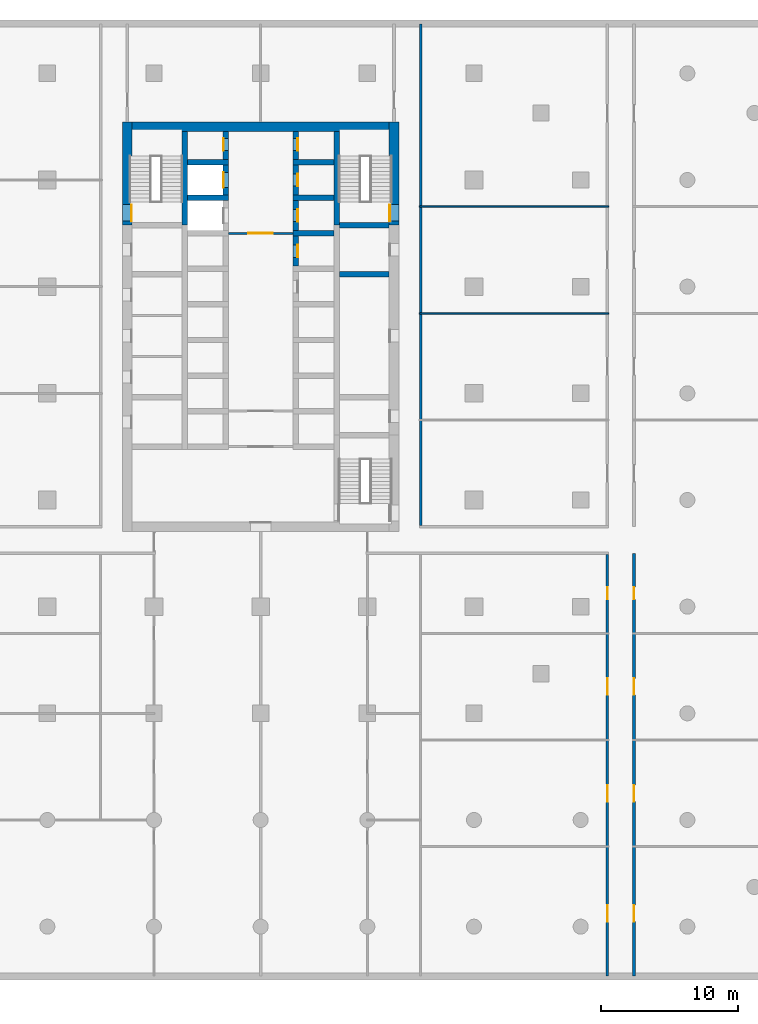
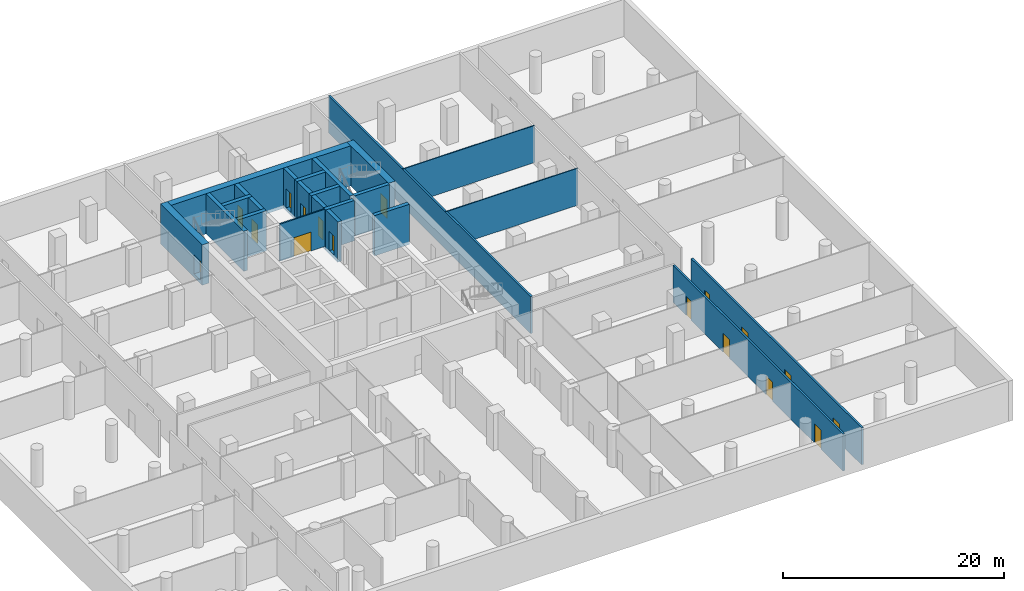
# One storey, part 7 of 14: 24 walls, 17 doors, 17 openings.
"""IFC4 building model written with IfcOpenShell, lengths in metres."""

from ifc_helpers import new_model, si_unit, direction, frame, frame_2d, origin, place, context, subcontext, project, spatial, rectangle, extrude, material, layer, layer_set, type_object, element, fill, save


model = new_model("IFC4")

# Units and contexts
model_context = context("Model", 3, precision=1e-05, world=origin(), true_north=direction((0.0, 1.0)))
body_context = subcontext(model_context, "Body", "Model", "MODEL_VIEW")
ifc_project = project(units=[si_unit("LENGTHUNIT", "METRE"), si_unit("AREAUNIT", "SQUARE_METRE"), si_unit("VOLUMEUNIT", "CUBIC_METRE"), si_unit("PLANEANGLEUNIT", "RADIAN"), si_unit("MASSUNIT", "GRAM", prefix="KILO")], contexts=[model_context])

# Site, building, storey
site_placement = place(None, origin())
site = spatial("IfcSite", under=ifc_project, at=site_placement, CompositionType="ELEMENT")
building_placement = place(site_placement, origin())
building = spatial("IfcBuilding", under=site, at=building_placement, Name="Ludao Terraces", CompositionType="ELEMENT")
storey_placement = place(building_placement, frame((0.0, 0.0, -4.5)))
storey = spatial("IfcBuildingStorey", under=building, at=storey_placement, Name="B1", CompositionType="ELEMENT", Elevation=-4.5)

# Wall, opening, door
ifc_material_1 = material(Name="Concrete C70", Category="concrete")
ifc_layer_1 = layer(ifc_material_1, 0.699951171875)
ifc_layer_set_1 = layer_set([ifc_layer_1], Name="Core wall 700 C70")
wall_type_1 = type_object("IfcWallType", Name="Core wall 700 C70", PredefinedType="SOLIDWALL", material=ifc_layer_set_1)
wall_1_placement = place(storey_placement, frame((75.25, 77.300048828125, -0.35009765625), z_axis=(0.0, 0.0, 1.0), x_axis=(0.0, 1.0, 0.0)))
wall_1 = element("IfcWall", 1, at=wall_1_placement, inside=storey, type_object=wall_type_1, Name="Core wall B1 outer-W-S1", PredefinedType="SOLIDWALL", context=body_context, shape_type="SweptSolid", body=[
    extrude(rectangle(XDim=7.550048828125, YDim=0.699951171875, at=frame_2d((3.77490234375, 0.0))), origin(), (0.0, 0.0, 1.0), 4.4501953125),
])
opening_1_placement = place(wall_1_placement, frame((0.300048828125, 0.0, 0.35009765625)))
opening_1 = element("IfcOpeningElement", 2, at=opening_1_placement, cuts=wall_1, Name="Opening B1-055", PredefinedType="OPENING", context=body_context, shape_type="SweptSolid", body=[
    extrude(rectangle(XDim=1.199951171875, YDim=2.10009765625, at=frame_2d((0.60009765625, 1.050048828125))), frame((0.0, 0.35986328125, 0.0), z_axis=(0.0, -1.0, 0.0), x_axis=(1.0, 0.0, 0.0)), (0.0, 0.0, 1.0), 0.719970703125),
])
ifc_material_2 = material(Name="Steel Q235", Category="steel")
door_type_1 = type_object("IfcDoorType", Name="INT Stair door 1200", OperationType="DOUBLE_DOOR_SINGLE_SWING", PredefinedType="DOOR", material=ifc_material_2)
door_1_placement = place(opening_1_placement, origin())
door_1 = element("IfcDoor", 3, at=door_1_placement, inside=storey, type_object=door_type_1, Name="DOOR 055", OperationType="DOUBLE_DOOR_SINGLE_SWING", OverallHeight=2.10009765625, OverallWidth=1.199951171875, PredefinedType="DOOR", context=body_context, shape_type="SweptSolid", body=[
    extrude(rectangle(XDim=1.199951171875, YDim=2.10009765625, at=frame_2d((0.60009765625, 1.050048828125))), frame((0.0, -0.28515625, 0.0), z_axis=(0.0, -1.0, 0.0), x_axis=(1.0, 0.0, 0.0)), (0.0, 0.0, 1.0), 0.050048828125),
])
fill(opening_1, door_1)

wall_2_placement = place(storey_placement, frame((94.75, 77.300048828125, -0.35009765625), z_axis=(0.0, 0.0, 1.0), x_axis=(0.0, 1.0, 0.0)))
wall_2 = element("IfcWall", 4, at=wall_2_placement, inside=storey, type_object=wall_type_1, Name="Core wall B1 outer-E-S2", PredefinedType="SOLIDWALL", context=body_context, shape_type="SweptSolid", body=[
    extrude(rectangle(XDim=7.550048828125, YDim=0.699951171875, at=frame_2d((3.77490234375, 0.0))), origin(), (0.0, 0.0, 1.0), 4.4501953125),
])
opening_2_placement = place(wall_2_placement, frame((0.300048828125, 0.0, 0.35009765625)))
opening_2 = element("IfcOpeningElement", 5, at=opening_2_placement, cuts=wall_2, Name="Opening B1-056", PredefinedType="OPENING", context=body_context, shape_type="SweptSolid", body=[
    extrude(rectangle(XDim=1.199951171875, YDim=2.10009765625, at=frame_2d((0.60009765625, 1.050048828125))), frame((0.0, 0.35986328125, 0.0), z_axis=(0.0, -1.0, 0.0), x_axis=(1.0, 0.0, 0.0)), (0.0, 0.0, 1.0), 0.719970703125),
])
door_2_placement = place(opening_2_placement, origin())
door_2 = element("IfcDoor", 6, at=door_2_placement, inside=storey, type_object=door_type_1, Name="DOOR 056", OperationType="DOUBLE_DOOR_SINGLE_SWING", OverallHeight=2.10009765625, OverallWidth=1.199951171875, PredefinedType="DOOR", context=body_context, shape_type="SweptSolid", body=[
    extrude(rectangle(XDim=1.199951171875, YDim=2.10009765625, at=frame_2d((0.60009765625, 1.050048828125))), frame((0.0, 0.3349609375, 0.0), z_axis=(0.0, -1.0, 0.0), x_axis=(1.0, 0.0, 0.0)), (0.0, 0.0, 1.0), 0.050048828125),
])
fill(opening_2, door_2)

# Wall
wall_3_placement = place(storey_placement, frame((75.60009765625, 84.5, -0.35009765625), z_axis=(0.0, 0.0, 1.0), x_axis=(1.0, 0.0, 0.0)))
element("IfcWall", 7, at=wall_3_placement, inside=storey, type_object=wall_type_1, Name="Core wall B1 outer-N", PredefinedType="SOLIDWALL", context=body_context, shape_type="SweptSolid", body=[
    extrude(rectangle(XDim=18.7998046875, YDim=0.699951171875, at=frame_2d((9.39990234375, 0.0))), origin(), (0.0, 0.0, 1.0), 4.4501953125),
])

# Wall, opening, door
ifc_material_3 = material(Name="Fire-rated gypsum plasterboard", Category="gypsum")
ifc_layer_2 = layer(ifc_material_3, 0.012451171875, Category="gypsum")
ifc_material_4 = material(Name="Mineral wool")
ifc_layer_3 = layer(ifc_material_4, 0.10009765625, Name="insulation")
ifc_layer_4 = layer(ifc_material_2, 0.02490234375, Name="stud")
ifc_layer_5 = layer(ifc_material_3, 0.012451171875, Category="gypsum")
ifc_layer_set_2 = layer_set([ifc_layer_2, ifc_layer_3, ifc_layer_4, ifc_layer_5], Name="INT Core partition 150")
wall_type_2 = type_object("IfcWallType", Name="INT Core partition 150", PredefinedType="PARTITIONING", material=ifc_layer_set_2)
wall_4_placement = place(storey_placement, frame((82.650146484375, 76.699951171875, 0.0), z_axis=(0.0, 0.0, 1.0), x_axis=(1.0, 0.0, 0.0)))
wall_4 = element("IfcWall", 8, at=wall_4_placement, inside=storey, type_object=wall_type_2, Name="PW-B1-PW031", PredefinedType="PARTITIONING", context=body_context, shape_type="SweptSolid", body=[
    extrude(rectangle(XDim=4.699951171875, YDim=0.14990234375, at=frame_2d((2.35009765625, 0.0))), origin(), (0.0, 0.0, 1.0), 4.10009765625),
])
opening_3_placement = place(wall_4_placement, frame((1.449951171875, 0.0, 0.0)))
opening_3 = element("IfcOpeningElement", 9, at=opening_3_placement, cuts=wall_4, Name="Opening B1-052", PredefinedType="OPENING", context=body_context, shape_type="SweptSolid", body=[
    extrude(rectangle(XDim=1.800048828125, YDim=2.10009765625, at=frame_2d((0.89990234375, 1.050048828125))), frame((0.0, 0.0849609375, 0.0), z_axis=(0.0, -1.0, 0.0), x_axis=(1.0, 0.0, 0.0)), (0.0, 0.0, 1.0), 0.169921875),
])
door_type_2 = type_object("IfcDoorType", Name="INT Fire lobby door 1800", OperationType="DOUBLE_DOOR_SINGLE_SWING", PredefinedType="DOOR", material=ifc_material_2)
door_3_placement = place(opening_3_placement, origin())
door_3 = element("IfcDoor", 10, at=door_3_placement, inside=storey, type_object=door_type_2, Name="DOOR 052", OperationType="DOUBLE_DOOR_SINGLE_SWING", OverallHeight=2.10009765625, OverallWidth=1.800048828125, PredefinedType="DOOR", context=body_context, shape_type="SweptSolid", body=[
    extrude(rectangle(XDim=1.800048828125, YDim=2.10009765625, at=frame_2d((0.89990234375, 1.050048828125))), frame((0.0, 0.02490234375, 0.0), z_axis=(0.0, -1.0, 0.0), x_axis=(1.0, 0.0, 0.0)), (0.0, 0.0, 1.0), 0.050048828125),
])
fill(opening_3, door_3)

# Wall
ifc_material_5 = material(Name="Autoclaved aerated concrete block B06 A3.5", Category="concrete")
ifc_layer_6 = layer(ifc_material_5, 0.199951171875)
ifc_layer_set_3 = layer_set([ifc_layer_6], Name="INT Entrance wall 200")
wall_type_3 = type_object("IfcWallType", Name="INT Entrance wall 200", PredefinedType="PARTITIONING", material=ifc_layer_set_3)
wall_5_placement = place(storey_placement, frame((96.699951171875, 55.35009765625, 0.0), z_axis=(0.0, 0.0, 1.0), x_axis=(0.0, 1.0, 0.0)))
element("IfcWall", 11, at=wall_5_placement, inside=storey, type_object=wall_type_3, Name="PW-B1-PW055", PredefinedType="PARTITIONING", context=body_context, shape_type="SweptSolid", body=[
    extrude(rectangle(XDim=36.64990234375, YDim=0.199951171875, at=frame_2d((18.324951171875, 0.0))), origin(), (0.0, 0.0, 1.0), 4.10009765625),
])

# Wall, openings, doors
wall_6_placement = place(storey_placement, frame((110.35009765625, 22.400146484375, 0.0), z_axis=(0.0, 0.0, 1.0), x_axis=(0.0, 1.0, 0.0)))
wall_6 = element("IfcWall", 12, at=wall_6_placement, inside=storey, type_object=wall_type_3, Name="PW-B1-PW056", PredefinedType="PARTITIONING", context=body_context, shape_type="SweptSolid", body=[
    extrude(rectangle(XDim=30.800048828125, YDim=0.199951171875, at=frame_2d((15.39990234375, 0.0))), origin(), (0.0, 0.0, 1.0), 4.10009765625),
])
opening_4_placement = place(wall_6_placement, frame((3.97509765625, 0.0, 0.0)))
opening_4 = element("IfcOpeningElement", 13, at=opening_4_placement, cuts=wall_6, Name="Opening B1-001", PredefinedType="OPENING", context=body_context, shape_type="SweptSolid", body=[
    extrude(rectangle(XDim=1.199951171875, YDim=2.10009765625, at=frame_2d((0.60009765625, 1.050048828125))), frame((0.0, 0.10986328125, 0.0), z_axis=(0.0, -1.0, 0.0), x_axis=(1.0, 0.0, 0.0)), (0.0, 0.0, 1.0), 0.219970703125),
])
opening_5_placement = place(wall_6_placement, frame((12.75, 0.0, 0.0)))
opening_5 = element("IfcOpeningElement", 14, at=opening_5_placement, cuts=wall_6, Name="Opening B1-007", PredefinedType="OPENING", context=body_context, shape_type="SweptSolid", body=[
    extrude(rectangle(XDim=1.199951171875, YDim=2.10009765625, at=frame_2d((0.60009765625, 1.050048828125))), frame((0.0, 0.10986328125, 0.0), z_axis=(0.0, -1.0, 0.0), x_axis=(1.0, 0.0, 0.0)), (0.0, 0.0, 1.0), 0.219970703125),
])
opening_6_placement = place(wall_6_placement, frame((20.550048828125, 0.0, 0.0)))
opening_6 = element("IfcOpeningElement", 15, at=opening_6_placement, cuts=wall_6, Name="Opening B1-013", PredefinedType="OPENING", context=body_context, shape_type="SweptSolid", body=[
    extrude(rectangle(XDim=1.199951171875, YDim=2.10009765625, at=frame_2d((0.60009765625, 1.050048828125))), frame((0.0, 0.10986328125, 0.0), z_axis=(0.0, -1.0, 0.0), x_axis=(1.0, 0.0, 0.0)), (0.0, 0.0, 1.0), 0.219970703125),
])
opening_7_placement = place(wall_6_placement, frame((27.52490234375, 0.0, 0.0)))
opening_7 = element("IfcOpeningElement", 16, at=opening_7_placement, cuts=wall_6, Name="Opening B1-021", PredefinedType="OPENING", context=body_context, shape_type="SweptSolid", body=[
    extrude(rectangle(XDim=0.89990234375, YDim=2.10009765625, at=frame_2d((0.449951171875, 1.050048828125))), frame((0.0, 0.10986328125, 0.0), z_axis=(0.0, -1.0, 0.0), x_axis=(1.0, 0.0, 0.0)), (0.0, 0.0, 1.0), 0.219970703125),
])
ifc_material_6 = material(Name="Timber door leaf", Category="wood")
door_type_3 = type_object("IfcDoorType", Name="INT Double door 1200", OperationType="DOUBLE_DOOR_SINGLE_SWING", PredefinedType="DOOR", material=ifc_material_6)
door_4_placement = place(opening_4_placement, origin())
door_4 = element("IfcDoor", 17, at=door_4_placement, inside=storey, type_object=door_type_3, Name="DOOR 001", OperationType="DOUBLE_DOOR_SINGLE_SWING", OverallHeight=2.10009765625, OverallWidth=1.199951171875, PredefinedType="DOOR", context=body_context, shape_type="SweptSolid", body=[
    extrude(rectangle(XDim=1.199951171875, YDim=2.10009765625, at=frame_2d((0.60009765625, 1.050048828125))), frame((0.0, 0.02490234375, 0.0), z_axis=(0.0, -1.0, 0.0), x_axis=(1.0, 0.0, 0.0)), (0.0, 0.0, 1.0), 0.050048828125),
])
fill(opening_4, door_4)
door_5_placement = place(opening_5_placement, origin())
door_5 = element("IfcDoor", 18, at=door_5_placement, inside=storey, type_object=door_type_3, Name="DOOR 007", OperationType="DOUBLE_DOOR_SINGLE_SWING", OverallHeight=2.10009765625, OverallWidth=1.199951171875, PredefinedType="DOOR", context=body_context, shape_type="SweptSolid", body=[
    extrude(rectangle(XDim=1.199951171875, YDim=2.10009765625, at=frame_2d((0.60009765625, 1.050048828125))), frame((0.0, 0.02490234375, 0.0), z_axis=(0.0, -1.0, 0.0), x_axis=(1.0, 0.0, 0.0)), (0.0, 0.0, 1.0), 0.050048828125),
])
fill(opening_5, door_5)
door_6_placement = place(opening_6_placement, origin())
door_6 = element("IfcDoor", 19, at=door_6_placement, inside=storey, type_object=door_type_3, Name="DOOR 013", OperationType="DOUBLE_DOOR_SINGLE_SWING", OverallHeight=2.10009765625, OverallWidth=1.199951171875, PredefinedType="DOOR", context=body_context, shape_type="SweptSolid", body=[
    extrude(rectangle(XDim=1.199951171875, YDim=2.10009765625, at=frame_2d((0.60009765625, 1.050048828125))), frame((0.0, 0.02490234375, 0.0), z_axis=(0.0, -1.0, 0.0), x_axis=(1.0, 0.0, 0.0)), (0.0, 0.0, 1.0), 0.050048828125),
])
fill(opening_6, door_6)
door_type_4 = type_object("IfcDoorType", Name="INT Room door 900", OperationType="SINGLE_SWING_LEFT", PredefinedType="DOOR", material=ifc_material_6)
door_7_placement = place(opening_7_placement, origin())
door_7 = element("IfcDoor", 20, at=door_7_placement, inside=storey, type_object=door_type_4, Name="DOOR 021", OperationType="SINGLE_SWING_LEFT", OverallHeight=2.10009765625, OverallWidth=0.89990234375, PredefinedType="DOOR", context=body_context, shape_type="SweptSolid", body=[
    extrude(rectangle(XDim=0.89990234375, YDim=2.10009765625, at=frame_2d((0.449951171875, 1.050048828125))), frame((0.0, 0.02490234375, 0.0), z_axis=(0.0, -1.0, 0.0), x_axis=(1.0, 0.0, 0.0)), (0.0, 0.0, 1.0), 0.050048828125),
])
fill(opening_7, door_7)

wall_7_placement = place(storey_placement, frame((112.300048828125, 22.400146484375, 0.0), z_axis=(0.0, 0.0, 1.0), x_axis=(0.0, 1.0, 0.0)))
wall_7 = element("IfcWall", 21, at=wall_7_placement, inside=storey, type_object=wall_type_3, Name="PW-B1-PW058", PredefinedType="PARTITIONING", context=body_context, shape_type="SweptSolid", body=[
    extrude(rectangle(XDim=30.89990234375, YDim=0.199951171875, at=frame_2d((15.449951171875, 0.0))), origin(), (0.0, 0.0, 1.0), 4.10009765625),
])
opening_8_placement = place(wall_7_placement, frame((3.97509765625, 0.0, 0.0)))
opening_8 = element("IfcOpeningElement", 22, at=opening_8_placement, cuts=wall_7, Name="Opening B1-002", PredefinedType="OPENING", context=body_context, shape_type="SweptSolid", body=[
    extrude(rectangle(XDim=1.199951171875, YDim=2.10009765625, at=frame_2d((0.60009765625, 1.050048828125))), frame((0.0, 0.10986328125, 0.0), z_axis=(0.0, -1.0, 0.0), x_axis=(1.0, 0.0, 0.0)), (0.0, 0.0, 1.0), 0.219970703125),
])
opening_9_placement = place(wall_7_placement, frame((12.75, 0.0, 0.0)))
opening_9 = element("IfcOpeningElement", 23, at=opening_9_placement, cuts=wall_7, Name="Opening B1-008", PredefinedType="OPENING", context=body_context, shape_type="SweptSolid", body=[
    extrude(rectangle(XDim=1.199951171875, YDim=2.10009765625, at=frame_2d((0.60009765625, 1.050048828125))), frame((0.0, 0.10986328125, 0.0), z_axis=(0.0, -1.0, 0.0), x_axis=(1.0, 0.0, 0.0)), (0.0, 0.0, 1.0), 0.219970703125),
])
opening_10_placement = place(wall_7_placement, frame((20.550048828125, 0.0, 0.0)))
opening_10 = element("IfcOpeningElement", 24, at=opening_10_placement, cuts=wall_7, Name="Opening B1-014", PredefinedType="OPENING", context=body_context, shape_type="SweptSolid", body=[
    extrude(rectangle(XDim=1.199951171875, YDim=2.10009765625, at=frame_2d((0.60009765625, 1.050048828125))), frame((0.0, 0.10986328125, 0.0), z_axis=(0.0, -1.0, 0.0), x_axis=(1.0, 0.0, 0.0)), (0.0, 0.0, 1.0), 0.219970703125),
])
opening_11_placement = place(wall_7_placement, frame((27.52490234375, 0.0, 0.0)))
opening_11 = element("IfcOpeningElement", 25, at=opening_11_placement, cuts=wall_7, Name="Opening B1-022", PredefinedType="OPENING", context=body_context, shape_type="SweptSolid", body=[
    extrude(rectangle(XDim=0.89990234375, YDim=2.10009765625, at=frame_2d((0.449951171875, 1.050048828125))), frame((0.0, 0.10986328125, 0.0), z_axis=(0.0, -1.0, 0.0), x_axis=(1.0, 0.0, 0.0)), (0.0, 0.0, 1.0), 0.219970703125),
])
door_8_placement = place(opening_8_placement, origin())
door_8 = element("IfcDoor", 26, at=door_8_placement, inside=storey, type_object=door_type_3, Name="DOOR 002", OperationType="DOUBLE_DOOR_SINGLE_SWING", OverallHeight=2.10009765625, OverallWidth=1.199951171875, PredefinedType="DOOR", context=body_context, shape_type="SweptSolid", body=[
    extrude(rectangle(XDim=1.199951171875, YDim=2.10009765625, at=frame_2d((0.60009765625, 1.050048828125))), frame((0.0, 0.02490234375, 0.0), z_axis=(0.0, -1.0, 0.0), x_axis=(1.0, 0.0, 0.0)), (0.0, 0.0, 1.0), 0.050048828125),
])
fill(opening_8, door_8)
door_9_placement = place(opening_9_placement, origin())
door_9 = element("IfcDoor", 27, at=door_9_placement, inside=storey, type_object=door_type_3, Name="DOOR 008", OperationType="DOUBLE_DOOR_SINGLE_SWING", OverallHeight=2.10009765625, OverallWidth=1.199951171875, PredefinedType="DOOR", context=body_context, shape_type="SweptSolid", body=[
    extrude(rectangle(XDim=1.199951171875, YDim=2.10009765625, at=frame_2d((0.60009765625, 1.050048828125))), frame((0.0, 0.02490234375, 0.0), z_axis=(0.0, -1.0, 0.0), x_axis=(1.0, 0.0, 0.0)), (0.0, 0.0, 1.0), 0.050048828125),
])
fill(opening_9, door_9)
door_10_placement = place(opening_10_placement, origin())
door_10 = element("IfcDoor", 28, at=door_10_placement, inside=storey, type_object=door_type_3, Name="DOOR 014", OperationType="DOUBLE_DOOR_SINGLE_SWING", OverallHeight=2.10009765625, OverallWidth=1.199951171875, PredefinedType="DOOR", context=body_context, shape_type="SweptSolid", body=[
    extrude(rectangle(XDim=1.199951171875, YDim=2.10009765625, at=frame_2d((0.60009765625, 1.050048828125))), frame((0.0, 0.02490234375, 0.0), z_axis=(0.0, -1.0, 0.0), x_axis=(1.0, 0.0, 0.0)), (0.0, 0.0, 1.0), 0.050048828125),
])
fill(opening_10, door_10)
door_11_placement = place(opening_11_placement, origin())
door_11 = element("IfcDoor", 29, at=door_11_placement, inside=storey, type_object=door_type_4, Name="DOOR 022", OperationType="SINGLE_SWING_RIGHT", OverallHeight=2.10009765625, OverallWidth=0.89990234375, PredefinedType="DOOR", context=body_context, shape_type="SweptSolid", body=[
    extrude(rectangle(XDim=0.89990234375, YDim=2.10009765625, at=frame_2d((0.449951171875, 1.050048828125))), frame((0.0, 0.02490234375, 0.0), z_axis=(0.0, -1.0, 0.0), x_axis=(1.0, 0.0, 0.0)), (0.0, 0.0, 1.0), 0.050048828125),
])
fill(opening_11, door_11)

# Walls
ifc_material_7 = material(Name="Gypsum plasterboard", Category="gypsum")
ifc_layer_7 = layer(ifc_material_7, 0.012451171875, Category="gypsum")
ifc_layer_8 = layer(ifc_material_4, 0.06005859375, Name="insulation")
ifc_layer_9 = layer(ifc_material_2, 0.014892578125, Name="stud")
ifc_layer_10 = layer(ifc_material_7, 0.012451171875, Category="gypsum")
ifc_layer_set_4 = layer_set([ifc_layer_7, ifc_layer_8, ifc_layer_9, ifc_layer_10], Name="INT Partition 100")
wall_type_4 = type_object("IfcWallType", Name="INT Partition 100", PredefinedType="PARTITIONING", material=ifc_layer_set_4)
for number, where, z_axis, x_axis, name in (
    (30, (96.60009765625, 70.85009765625, 0.0), (0.0, 0.0, 1.0), (1.0, 0.0, 0.0), "PW-B1-PW027"),
    (31, (96.60009765625, 78.64990234375, 0.0), (0.0, 0.0, 1.0), (1.0, 0.0, 0.0), "PW-B1-PW032"),
):
    element("IfcWall", number, at=place(storey_placement, frame(where, z_axis=z_axis, x_axis=x_axis)), inside=storey, type_object=wall_type_4, Name=name, PredefinedType="PARTITIONING", context=body_context, shape_type="SweptSolid", body=[
        extrude(rectangle(XDim=13.85009765625, YDim=0.10009765625, at=frame_2d((6.925048828125, 0.0))), origin(), (0.0, 0.0, 1.0), 4.10009765625),
    ])
ifc_material_8 = material(Name="Concrete C60", Category="concrete")
ifc_layer_11 = layer(ifc_material_8, 0.39990234375)
ifc_layer_set_5 = layer_set([ifc_layer_11], Name="Shaft wall 400 C60")
wall_type_5 = type_object("IfcWallType", Name="Shaft wall 400 C60", PredefinedType="SOLIDWALL", material=ifc_layer_set_5)
for number, where, z_axis, x_axis, name in (
    (32, (79.449951171875, 77.300048828125, -0.35009765625), (0.0, 0.0, 1.0), (0.0, 1.0, 0.0), "Core wall B1 back-W-S1"),
    (33, (90.550048828125, 77.300048828125, -0.35009765625), (0.0, 0.0, 1.0), (0.0, 1.0, 0.0), "Core wall B1 back-E-S2"),
):
    element("IfcWall", number, at=place(storey_placement, frame(where, z_axis=z_axis, x_axis=x_axis)), inside=storey, type_object=wall_type_5, Name=name, PredefinedType="SOLIDWALL", context=body_context, shape_type="SweptSolid", body=[
        extrude(rectangle(XDim=6.849853515625, YDim=0.39990234375, at=frame_2d((3.4248046875, 0.0))), origin(), (0.0, 0.0, 1.0), 4.4501953125),
    ])
wall_8_placement = place(storey_placement, frame((79.64990234375, 79.300048828125, -0.35009765625), z_axis=(0.0, 0.0, 1.0), x_axis=(1.0, 0.0, 0.0)))
element("IfcWall", 34, at=wall_8_placement, inside=storey, type_object=wall_type_5, Name="Core wall B1 div-W8", PredefinedType="SOLIDWALL", context=body_context, shape_type="SweptSolid", body=[
    extrude(rectangle(XDim=3.0, YDim=0.39990234375, at=frame_2d((1.5, 0.0))), origin(), (0.0, 0.0, 1.0), 4.4501953125),
])

# Wall, opening, door
wall_9_placement = place(storey_placement, frame((82.449951171875, 79.5, -0.35009765625), z_axis=(0.0, 0.0, 1.0), x_axis=(0.0, 1.0, 0.0)))
wall_9 = element("IfcWall", 35, at=wall_9_placement, inside=storey, type_object=wall_type_5, Name="Core wall B1 front-W8", PredefinedType="SOLIDWALL", context=body_context, shape_type="SweptSolid", body=[
    extrude(rectangle(XDim=2.199951171875, YDim=0.39990234375, at=frame_2d((1.10009765625, 0.0))), origin(), (0.0, 0.0, 1.0), 4.4501953125),
])
opening_12_placement = place(wall_9_placement, frame((0.550048828125, 0.0, 0.35009765625)))
opening_12 = element("IfcOpeningElement", 36, at=opening_12_placement, cuts=wall_9, Name="Opening LD-FF2", PredefinedType="OPENING", context=body_context, shape_type="SweptSolid", body=[
    extrude(rectangle(XDim=1.10009765625, YDim=2.10009765625, at=frame_2d((0.550048828125, 1.050048828125))), frame((0.0, 0.2099609375, 0.0), z_axis=(0.0, -1.0, 0.0), x_axis=(1.0, 0.0, 0.0)), (0.0, 0.0, 1.0), 0.419921875),
])
ifc_material_9 = material(Name="Stainless steel 304", Category="steel")
door_type_5 = type_object("IfcDoorType", Name="INT Lift landing door 1100", OperationType="SLIDING_TO_LEFT", PredefinedType="DOOR", material=ifc_material_9)
door_12_placement = place(opening_12_placement, origin())
door_12 = element("IfcDoor", 37, at=door_12_placement, inside=storey, type_object=door_type_5, Name="LANDING DOOR FF2 B1", OperationType="SLIDING_TO_LEFT", OverallHeight=2.10009765625, OverallWidth=1.10009765625, PredefinedType="DOOR", context=body_context, shape_type="SweptSolid", body=[
    extrude(rectangle(XDim=1.10009765625, YDim=2.10009765625, at=frame_2d((0.550048828125, 1.050048828125))), frame((0.0, 0.18505859375, 0.0), z_axis=(0.0, -1.0, 0.0), x_axis=(1.0, 0.0, 0.0)), (0.0, 0.0, 1.0), 0.050048828125),
])
fill(opening_12, door_12)

# Wall
wall_10_placement = place(storey_placement, frame((79.64990234375, 81.89990234375, -0.35009765625), z_axis=(0.0, 0.0, 1.0), x_axis=(1.0, 0.0, 0.0)))
element("IfcWall", 38, at=wall_10_placement, inside=storey, type_object=wall_type_5, Name="Core wall B1 div-W9", PredefinedType="SOLIDWALL", context=body_context, shape_type="SweptSolid", body=[
    extrude(rectangle(XDim=3.0, YDim=0.39990234375, at=frame_2d((1.5, 0.0))), origin(), (0.0, 0.0, 1.0), 4.4501953125),
])

# Wall, opening, door
wall_11_placement = place(storey_placement, frame((82.449951171875, 82.10009765625, -0.35009765625), z_axis=(0.0, 0.0, 1.0), x_axis=(0.0, 1.0, 0.0)))
wall_11 = element("IfcWall", 39, at=wall_11_placement, inside=storey, type_object=wall_type_5, Name="Core wall B1 front-W9", PredefinedType="SOLIDWALL", context=body_context, shape_type="SweptSolid", body=[
    extrude(rectangle(XDim=2.0498046875, YDim=0.39990234375, at=frame_2d((1.02490234375, 0.0))), origin(), (0.0, 0.0, 1.0), 4.4501953125),
])
opening_13_placement = place(wall_11_placement, frame((0.64990234375, 0.0, 0.35009765625)))
opening_13 = element("IfcOpeningElement", 40, at=opening_13_placement, cuts=wall_11, Name="Opening B1-059", PredefinedType="OPENING", context=body_context, shape_type="SweptSolid", body=[
    extrude(rectangle(XDim=0.89990234375, YDim=2.10009765625, at=frame_2d((0.449951171875, 1.050048828125))), frame((0.0, 0.2099609375, 0.0), z_axis=(0.0, -1.0, 0.0), x_axis=(1.0, 0.0, 0.0)), (0.0, 0.0, 1.0), 0.419921875),
])
door_13_placement = place(opening_13_placement, origin())
door_13 = element("IfcDoor", 41, at=door_13_placement, inside=storey, type_object=door_type_4, Name="DOOR 059", OperationType="SINGLE_SWING_RIGHT", OverallHeight=2.10009765625, OverallWidth=0.89990234375, PredefinedType="DOOR", context=body_context, shape_type="SweptSolid", body=[
    extrude(rectangle(XDim=0.89990234375, YDim=2.10009765625, at=frame_2d((0.449951171875, 1.050048828125))), frame((0.0, 0.18505859375, 0.0), z_axis=(0.0, -1.0, 0.0), x_axis=(1.0, 0.0, 0.0)), (0.0, 0.0, 1.0), 0.050048828125),
])
fill(opening_13, door_13)

wall_12_placement = place(storey_placement, frame((87.550048828125, 74.300048828125, -0.35009765625), z_axis=(0.0, 0.0, 1.0), x_axis=(0.0, 1.0, 0.0)))
wall_12 = element("IfcWall", 42, at=wall_12_placement, inside=storey, type_object=wall_type_5, Name="Core wall B1 front-E6", PredefinedType="SOLIDWALL", context=body_context, shape_type="SweptSolid", body=[
    extrude(rectangle(XDim=2.199951171875, YDim=0.39990234375, at=frame_2d((1.10009765625, 0.0))), origin(), (0.0, 0.0, 1.0), 4.4501953125),
])
opening_14_placement = place(wall_12_placement, frame((0.64990234375, 0.0, 0.35009765625)))
opening_14 = element("IfcOpeningElement", 43, at=opening_14_placement, cuts=wall_12, Name="Opening B1-047", PredefinedType="OPENING", context=body_context, shape_type="SweptSolid", body=[
    extrude(rectangle(XDim=0.89990234375, YDim=2.10009765625, at=frame_2d((0.449951171875, 1.050048828125))), frame((0.0, 0.2099609375, 0.0), z_axis=(0.0, -1.0, 0.0), x_axis=(1.0, 0.0, 0.0)), (0.0, 0.0, 1.0), 0.419921875),
])
door_14_placement = place(opening_14_placement, origin())
door_14 = element("IfcDoor", 44, at=door_14_placement, inside=storey, type_object=door_type_4, Name="DOOR 047", OperationType="SINGLE_SWING_RIGHT", OverallHeight=2.10009765625, OverallWidth=0.89990234375, PredefinedType="DOOR", context=body_context, shape_type="SweptSolid", body=[
    extrude(rectangle(XDim=0.89990234375, YDim=2.10009765625, at=frame_2d((0.449951171875, 1.050048828125))), frame((0.0, -0.134765625, 0.0), z_axis=(0.0, -1.0, 0.0), x_axis=(1.0, 0.0, 0.0)), (0.0, 0.0, 1.0), 0.050048828125),
])
fill(opening_14, door_14)

# Wall
wall_13_placement = place(storey_placement, frame((87.35009765625, 76.699951171875, -0.35009765625), z_axis=(0.0, 0.0, 1.0), x_axis=(1.0, 0.0, 0.0)))
element("IfcWall", 45, at=wall_13_placement, inside=storey, type_object=wall_type_5, Name="Core wall B1 div-E7", PredefinedType="SOLIDWALL", context=body_context, shape_type="SweptSolid", body=[
    extrude(rectangle(XDim=3.0, YDim=0.39990234375, at=frame_2d((1.5, 0.0))), origin(), (0.0, 0.0, 1.0), 4.4501953125),
])

# Wall, opening, door
wall_14_placement = place(storey_placement, frame((87.550048828125, 76.89990234375, -0.35009765625), z_axis=(0.0, 0.0, 1.0), x_axis=(0.0, 1.0, 0.0)))
wall_14 = element("IfcWall", 46, at=wall_14_placement, inside=storey, type_object=wall_type_5, Name="Core wall B1 front-E7", PredefinedType="SOLIDWALL", context=body_context, shape_type="SweptSolid", body=[
    extrude(rectangle(XDim=2.2001953125, YDim=0.39990234375, at=frame_2d((1.10009765625, 0.0))), origin(), (0.0, 0.0, 1.0), 4.4501953125),
])
opening_15_placement = place(wall_14_placement, frame((0.64990234375, 0.0, 0.35009765625)))
opening_15 = element("IfcOpeningElement", 47, at=opening_15_placement, cuts=wall_14, Name="Opening B1-054", PredefinedType="OPENING", context=body_context, shape_type="SweptSolid", body=[
    extrude(rectangle(XDim=0.89990234375, YDim=2.10009765625, at=frame_2d((0.449951171875, 1.050048828125))), frame((0.0, 0.2099609375, 0.0), z_axis=(0.0, -1.0, 0.0), x_axis=(1.0, 0.0, 0.0)), (0.0, 0.0, 1.0), 0.419921875),
])
door_15_placement = place(opening_15_placement, origin())
door_15 = element("IfcDoor", 48, at=door_15_placement, inside=storey, type_object=door_type_4, Name="DOOR 054", OperationType="SINGLE_SWING_RIGHT", OverallHeight=2.10009765625, OverallWidth=0.89990234375, PredefinedType="DOOR", context=body_context, shape_type="SweptSolid", body=[
    extrude(rectangle(XDim=0.89990234375, YDim=2.10009765625, at=frame_2d((0.449951171875, 1.050048828125))), frame((0.0, -0.134765625, 0.0), z_axis=(0.0, -1.0, 0.0), x_axis=(1.0, 0.0, 0.0)), (0.0, 0.0, 1.0), 0.050048828125),
])
fill(opening_15, door_15)

# Wall
wall_15_placement = place(storey_placement, frame((87.35009765625, 79.300048828125, -0.35009765625), z_axis=(0.0, 0.0, 1.0), x_axis=(1.0, 0.0, 0.0)))
element("IfcWall", 49, at=wall_15_placement, inside=storey, type_object=wall_type_5, Name="Core wall B1 div-E8", PredefinedType="SOLIDWALL", context=body_context, shape_type="SweptSolid", body=[
    extrude(rectangle(XDim=3.0, YDim=0.39990234375, at=frame_2d((1.5, 0.0))), origin(), (0.0, 0.0, 1.0), 4.4501953125),
])

# Wall, opening, door
wall_16_placement = place(storey_placement, frame((87.550048828125, 79.5, -0.35009765625), z_axis=(0.0, 0.0, 1.0), x_axis=(0.0, 1.0, 0.0)))
wall_16 = element("IfcWall", 50, at=wall_16_placement, inside=storey, type_object=wall_type_5, Name="Core wall B1 front-E8", PredefinedType="SOLIDWALL", context=body_context, shape_type="SweptSolid", body=[
    extrude(rectangle(XDim=2.199951171875, YDim=0.39990234375, at=frame_2d((1.10009765625, 0.0))), origin(), (0.0, 0.0, 1.0), 4.4501953125),
])
opening_16_placement = place(wall_16_placement, frame((0.64990234375, 0.0, 0.35009765625)))
opening_16 = element("IfcOpeningElement", 51, at=opening_16_placement, cuts=wall_16, Name="Opening B1-058", PredefinedType="OPENING", context=body_context, shape_type="SweptSolid", body=[
    extrude(rectangle(XDim=0.89990234375, YDim=2.10009765625, at=frame_2d((0.449951171875, 1.050048828125))), frame((0.0, 0.2099609375, 0.0), z_axis=(0.0, -1.0, 0.0), x_axis=(1.0, 0.0, 0.0)), (0.0, 0.0, 1.0), 0.419921875),
])
door_16_placement = place(opening_16_placement, origin())
door_16 = element("IfcDoor", 52, at=door_16_placement, inside=storey, type_object=door_type_4, Name="DOOR 058", OperationType="SINGLE_SWING_LEFT", OverallHeight=2.10009765625, OverallWidth=0.89990234375, PredefinedType="DOOR", context=body_context, shape_type="SweptSolid", body=[
    extrude(rectangle(XDim=0.89990234375, YDim=2.10009765625, at=frame_2d((0.449951171875, 1.050048828125))), frame((0.0, -0.134765625, 0.0), z_axis=(0.0, -1.0, 0.0), x_axis=(1.0, 0.0, 0.0)), (0.0, 0.0, 1.0), 0.050048828125),
])
fill(opening_16, door_16)

# Wall
wall_17_placement = place(storey_placement, frame((87.35009765625, 81.89990234375, -0.35009765625), z_axis=(0.0, 0.0, 1.0), x_axis=(1.0, 0.0, 0.0)))
element("IfcWall", 53, at=wall_17_placement, inside=storey, type_object=wall_type_5, Name="Core wall B1 div-E9", PredefinedType="SOLIDWALL", context=body_context, shape_type="SweptSolid", body=[
    extrude(rectangle(XDim=3.0, YDim=0.39990234375, at=frame_2d((1.5, 0.0))), origin(), (0.0, 0.0, 1.0), 4.4501953125),
])

# Wall, opening, door
wall_18_placement = place(storey_placement, frame((87.550048828125, 82.10009765625, -0.35009765625), z_axis=(0.0, 0.0, 1.0), x_axis=(0.0, 1.0, 0.0)))
wall_18 = element("IfcWall", 54, at=wall_18_placement, inside=storey, type_object=wall_type_5, Name="Core wall B1 front-E9", PredefinedType="SOLIDWALL", context=body_context, shape_type="SweptSolid", body=[
    extrude(rectangle(XDim=2.0498046875, YDim=0.39990234375, at=frame_2d((1.02490234375, 0.0))), origin(), (0.0, 0.0, 1.0), 4.4501953125),
])
opening_17_placement = place(wall_18_placement, frame((0.64990234375, 0.0, 0.35009765625)))
opening_17 = element("IfcOpeningElement", 55, at=opening_17_placement, cuts=wall_18, Name="Opening B1-060", PredefinedType="OPENING", context=body_context, shape_type="SweptSolid", body=[
    extrude(rectangle(XDim=0.89990234375, YDim=2.10009765625, at=frame_2d((0.449951171875, 1.050048828125))), frame((0.0, 0.2099609375, 0.0), z_axis=(0.0, -1.0, 0.0), x_axis=(1.0, 0.0, 0.0)), (0.0, 0.0, 1.0), 0.419921875),
])
door_17_placement = place(opening_17_placement, origin())
door_17 = element("IfcDoor", 56, at=door_17_placement, inside=storey, type_object=door_type_4, Name="DOOR 060", OperationType="SINGLE_SWING_LEFT", OverallHeight=2.10009765625, OverallWidth=0.89990234375, PredefinedType="DOOR", context=body_context, shape_type="SweptSolid", body=[
    extrude(rectangle(XDim=0.89990234375, YDim=2.10009765625, at=frame_2d((0.449951171875, 1.050048828125))), frame((0.0, -0.134765625, 0.0), z_axis=(0.0, -1.0, 0.0), x_axis=(1.0, 0.0, 0.0)), (0.0, 0.0, 1.0), 0.050048828125),
])
fill(opening_17, door_17)

# Walls
for number, where, z_axis, x_axis, name in (
    (57, (90.75, 73.699951171875, -0.35009765625), (0.0, 0.0, 1.0), (1.0, 0.0, 0.0), "Core wall B1 riser-b-E"),
    (58, (90.75, 77.300048828125, -0.35009765625), (0.0, 0.0, 1.0), (1.0, 0.0, 0.0), "Core wall B1 stair-E"),
):
    element("IfcWall", number, at=place(storey_placement, frame(where, z_axis=z_axis, x_axis=x_axis)), inside=storey, type_object=wall_type_5, Name=name, PredefinedType="SOLIDWALL", context=body_context, shape_type="SweptSolid", body=[
        extrude(rectangle(XDim=3.64990234375, YDim=0.39990234375, at=frame_2d((1.824951171875, 0.0))), origin(), (0.0, 0.0, 1.0), 4.4501953125),
    ])

save(model, "model.ifc")
